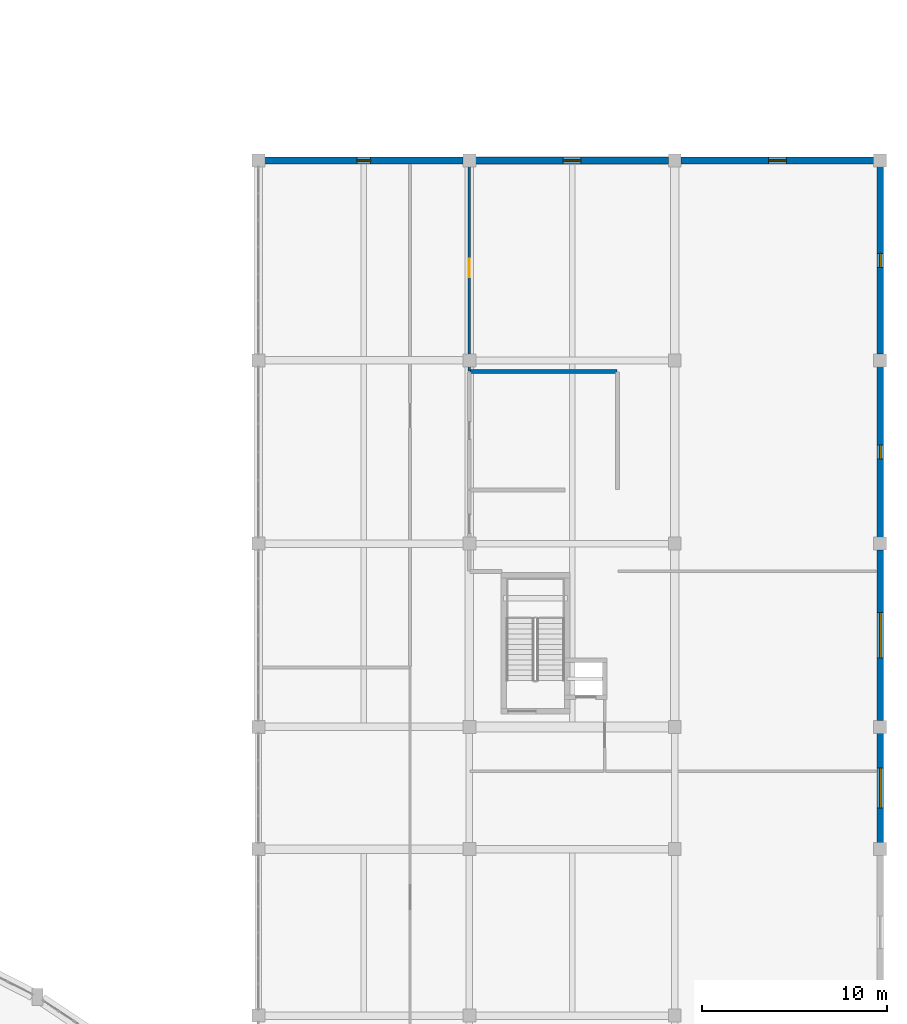
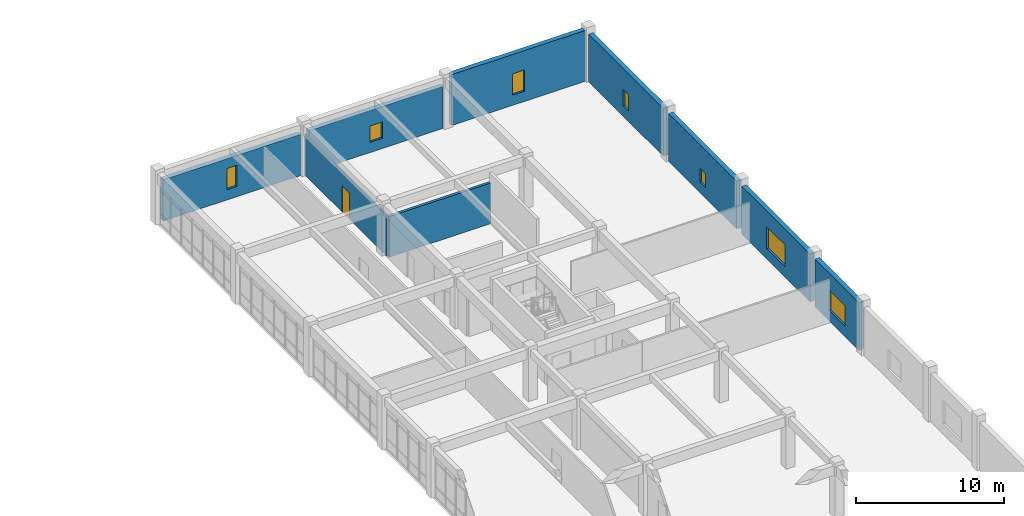
# One storey, part 49 of 57: 9 walls, 7 windows, 1 door, 8 openings.
"""IFC4 building model written with IfcOpenShell, lengths in metres."""

import ifcopenshell
import ifcopenshell.guid

model = None  # the IFC model being written
_history = None  # IfcOwnerHistory: only IFC2X3 demands one
_inside = {}  # id of a spatial element -> (the spatial element, [elements in it])
_under = {}  # id of a project, library or spatial element -> (it, [spatial elements below it])
_declared = {}  # id of a project -> (the project, [libraries it declares])
_typed = {}  # id of a type object -> (the type object, [elements of that type])
_made_of = {}  # id of a material, layer set ... -> (it, [elements and type objects made of it])


def new_model(schema):
    """Start an empty IFC model of exactly this schema.

    Asked for "IFC4X3", IfcOpenShell would pick the latest addendum, in which some entities
    have other attributes; the version numbers below select the first issue.
    IFC2X3 requires an IfcOwnerHistory on every rooted entity: one is made here for all.
    """
    global model, _history
    if schema == "IFC4X3":
        model = ifcopenshell.file(schema_version=(4, 3, 0, 0))
    else:
        model = ifcopenshell.file(schema=schema)
    _inside.clear()
    _under.clear()
    _declared.clear()
    _typed.clear()
    _made_of.clear()
    _history = None
    if model.schema == "IFC2X3":
        org = make("IfcOrganization", Name="unknown")
        user = make(
            "IfcPersonAndOrganization",
            ThePerson=make("IfcPerson", FamilyName="unknown"),
            TheOrganization=org,
        )
        app = make(
            "IfcApplication",
            ApplicationDeveloper=org,
            Version="unknown",
            ApplicationFullName="unknown",
            ApplicationIdentifier="unknown",
        )
        _history = make(
            "IfcOwnerHistory",
            OwningUser=user,
            OwningApplication=app,
            ChangeAction="ADDED",
            CreationDate=0,
        )
    return model


def make(cls, **values):
    """One entity of the class cls with the attributes given. An attribute that is None is left unset."""
    return model.create_entity(
        cls, **{name: value for name, value in values.items() if value is not None}
    )


def rooted(cls, **values):
    """An entity with a GlobalId (a new one), such as an element, a storey or a relation."""
    return make(cls, GlobalId=ifcopenshell.guid.new(), OwnerHistory=_history, **values)


def si_unit(unit_type, name, prefix=None):
    """IfcSIUnit, for example si_unit("LENGTHUNIT", "METRE", prefix="MILLI")."""
    return make("IfcSIUnit", UnitType=unit_type, Prefix=prefix, Name=name)


def assignment(units):
    """IfcUnitAssignment: the units of a project."""
    return None if units is None else make("IfcUnitAssignment", Units=units)


def point(xyz):
    """IfcCartesianPoint."""
    return None if xyz is None else make("IfcCartesianPoint", Coordinates=xyz)


def direction(xyz):
    """IfcDirection."""
    return None if xyz is None else make("IfcDirection", DirectionRatios=xyz)


def frame(location, z_axis=None, x_axis=None):
    """IfcAxis2Placement3D, a coordinate frame: its origin and axes. An axis left out is left unset."""
    return make(
        "IfcAxis2Placement3D",
        Location=point(location),
        Axis=direction(z_axis),
        RefDirection=direction(x_axis),
    )


def frame_2d(location, x_axis=None):
    """IfcAxis2Placement2D, a coordinate frame in the plane: its origin and x axis."""
    return make(
        "IfcAxis2Placement2D", Location=point(location), RefDirection=direction(x_axis)
    )


def origin():
    """The frame at (0, 0, 0) with its axes left unset."""
    return frame((0.0, 0.0, 0.0))


def place(relative_to, where):
    """IfcLocalPlacement: puts the frame where relative to a parent placement (None: the world)."""
    return make(
        "IfcLocalPlacement", PlacementRelTo=relative_to, RelativePlacement=where
    )


def context(
    kind, dimensions, precision=None, world=None, true_north=None, identifier=None
):
    """IfcGeometricRepresentationContext, for example the 3D "Model" context."""
    return make(
        "IfcGeometricRepresentationContext",
        ContextIdentifier=identifier,
        ContextType=kind,
        CoordinateSpaceDimension=dimensions,
        Precision=precision,
        WorldCoordinateSystem=world,
        TrueNorth=true_north,
    )


def subcontext(parent, identifier, kind, view, scale=None):
    """IfcGeometricRepresentationSubContext, for example "Body" below "Model"."""
    return make(
        "IfcGeometricRepresentationSubContext",
        ContextIdentifier=identifier,
        ContextType=kind,
        ParentContext=parent,
        TargetScale=scale,
        TargetView=view,
    )


def project(units=None, contexts=None):
    """IfcProject with its units and contexts."""
    return rooted(
        "IfcProject",
        Name="project",
        RepresentationContexts=contexts,
        UnitsInContext=assignment(units),
    )


def spatial(cls, under=None, at=None, **own):
    """A site, building, storey or space (cls), placed at a placement, below another one or the project."""
    s = rooted(cls, ObjectPlacement=at, **own)
    if under is not None:
        _under.setdefault(under.id(), (under, []))[1].append(s)
    return s


def profile(cls, at=None, kind="AREA", **sizes):
    """A parametric profile (cls). Its sizes go by their IFC names, for example OverallWidth=200.0."""
    return make(cls, ProfileType=kind, Position=at, **sizes)


def rectangle(**sizes):
    """IfcRectangleProfileDef."""
    return profile("IfcRectangleProfileDef", **sizes)


def extrude(swept, where, along, depth):
    """IfcExtrudedAreaSolid: the profile swept, set in the frame where, extruded along a direction by depth."""
    return make(
        "IfcExtrudedAreaSolid",
        SweptArea=swept,
        Position=where,
        ExtrudedDirection=direction(along),
        Depth=depth,
    )


def shape(context_of_items, identifier, shape_type, items):
    """IfcShapeRepresentation: the items that make up one representation, for example the "Body"."""
    return make(
        "IfcShapeRepresentation",
        ContextOfItems=context_of_items,
        RepresentationIdentifier=identifier,
        RepresentationType=shape_type,
        Items=items,
    )


def material(Name=None, Category=None):
    """IfcMaterial."""
    return make("IfcMaterial", Name=Name, Category=Category)


def layer(
    of_material, thickness, ventilated=None, Name=None, Category=None, Priority=None
):
    """IfcMaterialLayer: one layer of a wall or slab, of a material (None: an air gap)."""
    return make(
        "IfcMaterialLayer",
        Material=of_material,
        LayerThickness=thickness,
        IsVentilated=ventilated,
        Name=Name,
        Category=Category,
        Priority=Priority,
    )


def layer_set(layers, Name=None):
    """IfcMaterialLayerSet."""
    return make("IfcMaterialLayerSet", MaterialLayers=layers, LayerSetName=Name)


def made_of(thing, what):
    """Note that an element or type object is made of a material, layer set ...; save() writes the relation."""
    if what is not None:
        _made_of.setdefault(what.id(), (what, []))[1].append(thing)
    return thing


def type_object(cls, material=None, **own):
    """A type object (cls), such as IfcWallType, which elements share."""
    return made_of(rooted(cls, **own), material)


def element(
    cls,
    number,
    at=None,
    inside=None,
    cuts=None,
    type_object=None,
    material=None,
    context=None,
    identifier="Body",
    shape_type=None,
    held_by="IfcProductDefinitionShape",
    body=None,
    shapes=None,
    **own,
):
    """One element of the class cls, such as IfcWall. Its Tag is "e" and its number.

    at: its placement. inside: the storey or other place that contains it. cuts: it is an
    opening in that element (IfcRelVoidsElement). A single representation is given by context,
    identifier, shape_type and body (its items); several are given by shapes. held_by: the class
    of the entity that holds the representations. save() writes the other relations.
    """
    e = rooted(cls, Tag="e%d" % number, ObjectPlacement=at, **own)
    if body is not None:
        shapes = [shape(context, identifier, shape_type, body)]
    if shapes is not None:
        e.Representation = make(held_by, Representations=shapes)
    if inside is not None:
        _inside.setdefault(inside.id(), (inside, []))[1].append(e)
    if cuts is not None:
        rooted(
            "IfcRelVoidsElement", RelatingBuildingElement=cuts, RelatedOpeningElement=e
        )
    if type_object is not None:
        _typed.setdefault(type_object.id(), (type_object, []))[1].append(e)
    return made_of(e, material)


def fill(opening, filler):
    """IfcRelFillsElement: the door or window that sits in an opening."""
    return rooted(
        "IfcRelFillsElement",
        RelatingOpeningElement=opening,
        RelatedBuildingElement=filler,
    )


def aggregate(whole, parts):
    """IfcRelAggregates: a whole, such as a stair, and the parts it consists of."""
    return rooted("IfcRelAggregates", RelatingObject=whole, RelatedObjects=parts)


def save(model, path):
    """Write the relations noted so far, then the file.

    IfcRelAggregates (storeys below a building ...), IfcRelContainedInSpatialStructure (elements
    in a storey), IfcRelDefinesByType, IfcRelAssociatesMaterial and IfcRelDeclares: one each for
    every whole, place, type object, material and project.
    """
    for whole, parts in _under.values():
        aggregate(whole, parts)
    for where, things in _inside.values():
        rooted(
            "IfcRelContainedInSpatialStructure",
            RelatedElements=things,
            RelatingStructure=where,
        )
    for kind, things in _typed.values():
        rooted("IfcRelDefinesByType", RelatedObjects=things, RelatingType=kind)
    for what, things in _made_of.values():
        rooted("IfcRelAssociatesMaterial", RelatedObjects=things, RelatingMaterial=what)
    for by, libraries in _declared.values():
        rooted("IfcRelDeclares", RelatingContext=by, RelatedDefinitions=libraries)
    model.write(path)


model = new_model("IFC4")

# Units and contexts
model_context = context("Model", 3, precision=1e-05, world=origin(), true_north=direction((0.0, 1.0)))
body_context = subcontext(model_context, "Body", "Model", "MODEL_VIEW")
ifc_project = project(units=[si_unit("LENGTHUNIT", "METRE"), si_unit("AREAUNIT", "SQUARE_METRE"), si_unit("VOLUMEUNIT", "CUBIC_METRE"), si_unit("PLANEANGLEUNIT", "RADIAN"), si_unit("MASSUNIT", "GRAM", prefix="KILO")], contexts=[model_context])

# Site, building, storey
site_placement = place(None, origin())
site = spatial("IfcSite", under=ifc_project, at=site_placement, CompositionType="ELEMENT")
building_placement = place(site_placement, origin())
building = spatial("IfcBuilding", under=site, at=building_placement, Name="Miralva Faculty of Natural Sciences", CompositionType="ELEMENT")
storey_placement = place(building_placement, frame((0.0, 0.0, 15.0)))
storey = spatial("IfcBuildingStorey", under=building, at=storey_placement, Name="L03", CompositionType="ELEMENT", Elevation=15.0)

# Wall, opening, door
ifc_material_1 = material(Name="Gypsum plasterboard")
ifc_layer_1 = layer(ifc_material_1, 0.125, Name="WL-PT05")
ifc_layer_set_1 = layer_set([ifc_layer_1], Name="Gypsum plasterboard")
wall_type_1 = type_object("IfcWallType", Name="WL-PT05", PredefinedType="PARTITIONING", material=ifc_layer_set_1)
wall_1_placement = place(storey_placement, frame((145.199951171875, 64.830078125, 0.0), z_axis=(0.0, 0.0, 1.0), x_axis=(0.0, 1.0, 0.0)))
wall_1 = element("IfcWall", 1, at=wall_1_placement, inside=storey, type_object=wall_type_1, Name="Interior partition PT-05 L03-381", PredefinedType="PARTITIONING", context=body_context, shape_type="SweptSolid", body=[
    extrude(rectangle(XDim=11.139892578125, YDim=0.125, at=frame_2d((5.56982421875, 0.0))), origin(), (0.0, 0.0, 1.0), 3.35498046875),
])
opening_1_placement = place(wall_1_placement, frame((5.070068359375, 0.0, 0.0)))
opening_1 = element("IfcOpeningElement", 2, at=opening_1_placement, cuts=wall_1, Name="Opening D-25", PredefinedType="OPENING", context=body_context, shape_type="SweptSolid", body=[
    extrude(rectangle(XDim=1.0, YDim=2.14990234375, at=frame_2d((0.5, 1.074951171875))), frame((0.0, 0.072509765625, 0.0), z_axis=(0.0, -1.0, 0.0), x_axis=(1.0, 0.0, 0.0)), (0.0, 0.0, 1.0), 0.14501953125),
])
ifc_material_2 = material(Name="Anodised aluminium", Category="aluminium")
door_type = type_object("IfcDoorType", Name="DR-DI25", OperationType="NOTDEFINED", PredefinedType="DOOR", material=ifc_material_2)
door_placement = place(opening_1_placement, origin())
door = element("IfcDoor", 3, at=door_placement, inside=storey, type_object=door_type, Name="Interior door D-25 L03-140", OperationType="SINGLE_SWING_LEFT", OverallHeight=2.14990234375, OverallWidth=1.0, PredefinedType="DOOR", context=body_context, shape_type="SweptSolid", body=[
    extrude(rectangle(XDim=1.0, YDim=2.14990234375, at=frame_2d((0.5, 1.074951171875))), frame((0.0, 0.02490234375, 0.0), z_axis=(0.0, -1.0, 0.0), x_axis=(1.0, 0.0, 0.0)), (0.0, 0.0, 1.0), 0.050048828125),
])
fill(opening_1, door)

# Wall
ifc_layer_2 = layer(ifc_material_1, 0.2099609375, Name="WL-PT06")
ifc_layer_set_2 = layer_set([ifc_layer_2], Name="Gypsum plasterboard")
wall_type_2 = type_object("IfcWallType", Name="WL-PT06", PredefinedType="PLUMBINGWALL", material=ifc_layer_set_2)
wall_2_placement = place(storey_placement, frame((145.22998046875, 64.800048828125, 0.0), z_axis=(0.0, 0.0, 1.0), x_axis=(1.0, 0.0, 0.0)))
element("IfcWall", 4, at=wall_2_placement, inside=storey, type_object=wall_type_2, Name="Interior partition PT-06 L03-378", PredefinedType="PLUMBINGWALL", context=body_context, shape_type="SweptSolid", body=[
    extrude(rectangle(XDim=7.93994140625, YDim=0.2099609375, at=frame_2d((3.969970703125, 0.0))), origin(), (0.0, 0.0, 1.0), 3.35498046875),
])

# Wall, opening, window
ifc_material_3 = material(Name="Volcanic tuff architectural stone", Category="masonry")
ifc_layer_3 = layer(ifc_material_3, 0.360107421875, Name="WL-WT01")
ifc_layer_set_3 = layer_set([ifc_layer_3], Name="Volcanic tuff architectural stone")
wall_type_3 = type_object("IfcWallType", Name="WL-WT01", PredefinedType="SOLIDWALL", material=ifc_layer_set_3)
wall_3_placement = place(storey_placement, frame((167.39990234375, 39.3349609375, 0.0), z_axis=(0.0, 0.0, 1.0), x_axis=(0.0, 1.0, 0.0)))
wall_3 = element("IfcWall", 5, at=wall_3_placement, inside=storey, type_object=wall_type_3, Name="Exterior wall L03-328", PredefinedType="SOLIDWALL", context=body_context, shape_type="SweptSolid", body=[
    extrude(rectangle(XDim=5.929931640625, YDim=0.360107421875, at=frame_2d((2.96484375, 0.0))), origin(), (0.0, 0.0, 1.0), 3.945068359375),
])
opening_2_placement = place(wall_3_placement, frame((1.889892578125, 0.0, 0.85009765625)))
opening_2 = element("IfcOpeningElement", 6, at=opening_2_placement, cuts=wall_3, Name="Opening W-39", PredefinedType="OPENING", context=body_context, shape_type="SweptSolid", body=[
    extrude(rectangle(XDim=2.14990234375, YDim=1.699951171875, at=frame_2d((1.074951171875, 0.85009765625))), frame((0.0, 0.18994140625, 0.0), z_axis=(0.0, -1.0, 0.0), x_axis=(1.0, 0.0, 0.0)), (0.0, 0.0, 1.0), 0.380126953125),
])
ifc_material_4 = material(Name="Laminated solar-control glass", Category="glass")
window_type_1 = type_object("IfcWindowType", Name="WN-W39", PartitioningType="DOUBLE_PANEL_VERTICAL", PredefinedType="WINDOW", material=ifc_material_4)
window_1_placement = place(opening_2_placement, frame((2.14990234375, 0.0, 0.0), z_axis=(0.0, 0.0, 1.0), x_axis=(-1.0, 0.0, 0.0)))
window_1 = element("IfcWindow", 7, at=window_1_placement, inside=storey, type_object=window_type_1, Name="Window W-39 L03-253", OverallHeight=1.699951171875, OverallWidth=2.14990234375, PartitioningType="DOUBLE_PANEL_VERTICAL", PredefinedType="WINDOW", context=body_context, shape_type="SweptSolid", body=[
    extrude(rectangle(XDim=2.14990234375, YDim=1.699951171875, at=frame_2d((1.074951171875, 0.85009765625))), frame((0.0, 0.030029296875, 0.0), z_axis=(0.0, -1.0, 0.0), x_axis=(1.0, 0.0, 0.0)), (0.0, 0.0, 1.0), 0.06005859375),
])
fill(opening_2, window_1)

wall_4_placement = place(storey_placement, frame((167.39990234375, 45.93505859375, 0.0), z_axis=(0.0, 0.0, 1.0), x_axis=(0.0, 1.0, 0.0)))
wall_4 = element("IfcWall", 8, at=wall_4_placement, inside=storey, type_object=wall_type_3, Name="Exterior wall L03-329", PredefinedType="SOLIDWALL", context=body_context, shape_type="SweptSolid", body=[
    extrude(rectangle(XDim=9.22998046875, YDim=0.360107421875, at=frame_2d((4.614990234375, 0.0))), origin(), (0.0, 0.0, 1.0), 3.945068359375),
])
opening_3_placement = place(wall_4_placement, frame((3.389892578125, 0.0, 0.85009765625)))
opening_3 = element("IfcOpeningElement", 9, at=opening_3_placement, cuts=wall_4, Name="Opening W-40", PredefinedType="OPENING", context=body_context, shape_type="SweptSolid", body=[
    extrude(rectangle(XDim=2.449951171875, YDim=1.800048828125, at=frame_2d((1.22509765625, 0.89990234375))), frame((0.0, 0.18994140625, 0.0), z_axis=(0.0, -1.0, 0.0), x_axis=(1.0, 0.0, 0.0)), (0.0, 0.0, 1.0), 0.380126953125),
])
window_type_2 = type_object("IfcWindowType", Name="WN-W40", PartitioningType="DOUBLE_PANEL_VERTICAL", PredefinedType="WINDOW", material=ifc_material_4)
window_2_placement = place(opening_3_placement, frame((2.449951171875, 0.0, 0.0), z_axis=(0.0, 0.0, 1.0), x_axis=(-1.0, 0.0, 0.0)))
window_2 = element("IfcWindow", 10, at=window_2_placement, inside=storey, type_object=window_type_2, Name="Window W-40 L03-254", OverallHeight=1.800048828125, OverallWidth=2.449951171875, PartitioningType="DOUBLE_PANEL_VERTICAL", PredefinedType="WINDOW", context=body_context, shape_type="SweptSolid", body=[
    extrude(rectangle(XDim=2.449951171875, YDim=1.800048828125, at=frame_2d((1.22509765625, 0.89990234375))), frame((0.0, 0.030029296875, 0.0), z_axis=(0.0, -1.0, 0.0), x_axis=(1.0, 0.0, 0.0)), (0.0, 0.0, 1.0), 0.06005859375),
])
fill(opening_3, window_2)

wall_5_placement = place(storey_placement, frame((167.39990234375, 55.8349609375, 0.0), z_axis=(0.0, 0.0, 1.0), x_axis=(0.0, 1.0, 0.0)))
wall_5 = element("IfcWall", 11, at=wall_5_placement, inside=storey, type_object=wall_type_3, Name="Exterior wall L03-330", PredefinedType="SOLIDWALL", context=body_context, shape_type="SweptSolid", body=[
    extrude(rectangle(XDim=9.22998046875, YDim=0.360107421875, at=frame_2d((4.614990234375, 0.0))), origin(), (0.0, 0.0, 1.0), 3.945068359375),
])
opening_4_placement = place(wall_5_placement, frame((4.239990234375, 0.0, 0.85009765625)))
opening_4 = element("IfcOpeningElement", 12, at=opening_4_placement, cuts=wall_5, Name="Opening W-41", PredefinedType="OPENING", context=body_context, shape_type="SweptSolid", body=[
    extrude(rectangle(XDim=0.75, YDim=1.14990234375, at=frame_2d((0.375, 0.574951171875))), frame((0.0, 0.18994140625, 0.0), z_axis=(0.0, -1.0, 0.0), x_axis=(1.0, 0.0, 0.0)), (0.0, 0.0, 1.0), 0.380126953125),
])
window_type_3 = type_object("IfcWindowType", Name="WN-W41", PartitioningType="DOUBLE_PANEL_VERTICAL", PredefinedType="WINDOW", material=ifc_material_4)
window_3_placement = place(opening_4_placement, frame((0.75, 0.0, 0.0), z_axis=(0.0, 0.0, 1.0), x_axis=(-1.0, 0.0, 0.0)))
window_3 = element("IfcWindow", 13, at=window_3_placement, inside=storey, type_object=window_type_3, Name="Window W-41 L03-255", OverallHeight=1.14990234375, OverallWidth=0.75, PartitioningType="DOUBLE_PANEL_VERTICAL", PredefinedType="WINDOW", context=body_context, shape_type="SweptSolid", body=[
    extrude(rectangle(XDim=0.75, YDim=1.14990234375, at=frame_2d((0.375, 0.574951171875))), frame((0.0, 0.030029296875, 0.0), z_axis=(0.0, -1.0, 0.0), x_axis=(1.0, 0.0, 0.0)), (0.0, 0.0, 1.0), 0.06005859375),
])
fill(opening_4, window_3)

wall_6_placement = place(storey_placement, frame((167.39990234375, 65.735107421875, 0.0), z_axis=(0.0, 0.0, 1.0), x_axis=(0.0, 1.0, 0.0)))
wall_6 = element("IfcWall", 14, at=wall_6_placement, inside=storey, type_object=wall_type_3, Name="Exterior wall L03-331", PredefinedType="SOLIDWALL", context=body_context, shape_type="SweptSolid", body=[
    extrude(rectangle(XDim=10.1298828125, YDim=0.360107421875, at=frame_2d((5.06494140625, 0.0))), origin(), (0.0, 0.0, 1.0), 3.945068359375),
])
opening_5_placement = place(wall_6_placement, frame((4.68994140625, 0.0, 0.85009765625)))
opening_5 = element("IfcOpeningElement", 15, at=opening_5_placement, cuts=wall_6, Name="Opening W-42", PredefinedType="OPENING", context=body_context, shape_type="SweptSolid", body=[
    extrude(rectangle(XDim=0.75, YDim=1.35009765625, at=frame_2d((0.375, 0.675048828125))), frame((0.0, 0.18994140625, 0.0), z_axis=(0.0, -1.0, 0.0), x_axis=(1.0, 0.0, 0.0)), (0.0, 0.0, 1.0), 0.380126953125),
])
window_type_4 = type_object("IfcWindowType", Name="WN-W42", PartitioningType="DOUBLE_PANEL_VERTICAL", PredefinedType="WINDOW", material=ifc_material_4)
window_4_placement = place(opening_5_placement, frame((0.75, 0.0, 0.0), z_axis=(0.0, 0.0, 1.0), x_axis=(-1.0, 0.0, 0.0)))
window_4 = element("IfcWindow", 16, at=window_4_placement, inside=storey, type_object=window_type_4, Name="Window W-42 L03-256", OverallHeight=1.35009765625, OverallWidth=0.75, PartitioningType="DOUBLE_PANEL_VERTICAL", PredefinedType="WINDOW", context=body_context, shape_type="SweptSolid", body=[
    extrude(rectangle(XDim=0.75, YDim=1.35009765625, at=frame_2d((0.375, 0.675048828125))), frame((0.0, 0.030029296875, 0.0), z_axis=(0.0, -1.0, 0.0), x_axis=(1.0, 0.0, 0.0)), (0.0, 0.0, 1.0), 0.06005859375),
])
fill(opening_5, window_4)

wall_7_placement = place(storey_placement, frame((134.135009765625, 76.199951171875, 0.0), z_axis=(0.0, 0.0, 1.0), x_axis=(1.0, 0.0, 0.0)))
wall_7 = element("IfcWall", 17, at=wall_7_placement, inside=storey, type_object=wall_type_3, Name="Exterior wall L03-333", PredefinedType="SOLIDWALL", context=body_context, shape_type="SweptSolid", body=[
    extrude(rectangle(XDim=10.72998046875, YDim=0.360107421875, at=frame_2d((5.364990234375, 0.0))), origin(), (0.0, 0.0, 1.0), 3.405029296875),
])
opening_6_placement = place(wall_7_placement, frame((4.989990234375, 0.0, 0.85009765625)))
opening_6 = element("IfcOpeningElement", 18, at=opening_6_placement, cuts=wall_7, Name="Opening W-44", PredefinedType="OPENING", context=body_context, shape_type="SweptSolid", body=[
    extrude(rectangle(XDim=0.75, YDim=1.75, at=frame_2d((0.375, 0.875))), frame((0.0, 0.18994140625, 0.0), z_axis=(0.0, -1.0, 0.0), x_axis=(1.0, 0.0, 0.0)), (0.0, 0.0, 1.0), 0.380126953125),
])
window_type_5 = type_object("IfcWindowType", Name="WN-W44", PartitioningType="DOUBLE_PANEL_VERTICAL", PredefinedType="WINDOW", material=ifc_material_4)
window_5_placement = place(opening_6_placement, origin())
window_5 = element("IfcWindow", 19, at=window_5_placement, inside=storey, type_object=window_type_5, Name="Window W-44 L03-258", OverallHeight=1.75, OverallWidth=0.75, PartitioningType="DOUBLE_PANEL_VERTICAL", PredefinedType="WINDOW", context=body_context, shape_type="SweptSolid", body=[
    extrude(rectangle(XDim=0.75, YDim=1.75, at=frame_2d((0.375, 0.875))), frame((0.0, 0.030029296875, 0.0), z_axis=(0.0, -1.0, 0.0), x_axis=(1.0, 0.0, 0.0)), (0.0, 0.0, 1.0), 0.06005859375),
])
fill(opening_6, window_5)

wall_8_placement = place(storey_placement, frame((145.534912109375, 76.199951171875, 0.0), z_axis=(0.0, 0.0, 1.0), x_axis=(1.0, 0.0, 0.0)))
wall_8 = element("IfcWall", 20, at=wall_8_placement, inside=storey, type_object=wall_type_3, Name="Exterior wall L03-335", PredefinedType="SOLIDWALL", context=body_context, shape_type="SweptSolid", body=[
    extrude(rectangle(XDim=10.43017578125, YDim=0.360107421875, at=frame_2d((5.215087890625, 0.0))), origin(), (0.0, 0.0, 1.0), 3.465087890625),
])
opening_7_placement = place(wall_8_placement, frame((4.739990234375, 0.0, 0.85009765625)))
opening_7 = element("IfcOpeningElement", 21, at=opening_7_placement, cuts=wall_8, Name="Opening W-46", PredefinedType="OPENING", context=body_context, shape_type="SweptSolid", body=[
    extrude(rectangle(XDim=0.949951171875, YDim=1.35009765625, at=frame_2d((0.47509765625, 0.675048828125))), frame((0.0, 0.18994140625, 0.0), z_axis=(0.0, -1.0, 0.0), x_axis=(1.0, 0.0, 0.0)), (0.0, 0.0, 1.0), 0.380126953125),
])
window_type_6 = type_object("IfcWindowType", Name="WN-W46", PartitioningType="DOUBLE_PANEL_VERTICAL", PredefinedType="WINDOW", material=ifc_material_4)
window_6_placement = place(opening_7_placement, origin())
window_6 = element("IfcWindow", 22, at=window_6_placement, inside=storey, type_object=window_type_6, Name="Window W-46 L03-260", OverallHeight=1.35009765625, OverallWidth=0.949951171875, PartitioningType="DOUBLE_PANEL_VERTICAL", PredefinedType="WINDOW", context=body_context, shape_type="SweptSolid", body=[
    extrude(rectangle(XDim=0.949951171875, YDim=1.35009765625, at=frame_2d((0.47509765625, 0.675048828125))), frame((0.0, 0.030029296875, 0.0), z_axis=(0.0, -1.0, 0.0), x_axis=(1.0, 0.0, 0.0)), (0.0, 0.0, 1.0), 0.06005859375),
])
fill(opening_7, window_6)

wall_9_placement = place(storey_placement, frame((156.635009765625, 76.199951171875, 0.0), z_axis=(0.0, 0.0, 1.0), x_axis=(1.0, 0.0, 0.0)))
wall_9 = element("IfcWall", 23, at=wall_9_placement, inside=storey, type_object=wall_type_3, Name="Exterior wall L03-337", PredefinedType="SOLIDWALL", context=body_context, shape_type="SweptSolid", body=[
    extrude(rectangle(XDim=10.429931640625, YDim=0.360107421875, at=frame_2d((5.21484375, 0.0))), origin(), (0.0, 0.0, 1.0), 4.199951171875),
])
opening_8_placement = place(wall_9_placement, frame((4.739990234375, 0.0, 0.85009765625)))
opening_8 = element("IfcOpeningElement", 24, at=opening_8_placement, cuts=wall_9, Name="Opening W-48", PredefinedType="OPENING", context=body_context, shape_type="SweptSolid", body=[
    extrude(rectangle(XDim=0.949951171875, YDim=1.75, at=frame_2d((0.47509765625, 0.875))), frame((0.0, 0.18994140625, 0.0), z_axis=(0.0, -1.0, 0.0), x_axis=(1.0, 0.0, 0.0)), (0.0, 0.0, 1.0), 0.380126953125),
])
window_type_7 = type_object("IfcWindowType", Name="WN-W48", PartitioningType="DOUBLE_PANEL_VERTICAL", PredefinedType="WINDOW", material=ifc_material_4)
window_7_placement = place(opening_8_placement, origin())
window_7 = element("IfcWindow", 25, at=window_7_placement, inside=storey, type_object=window_type_7, Name="Window W-48 L03-262", OverallHeight=1.75, OverallWidth=0.949951171875, PartitioningType="DOUBLE_PANEL_VERTICAL", PredefinedType="WINDOW", context=body_context, shape_type="SweptSolid", body=[
    extrude(rectangle(XDim=0.949951171875, YDim=1.75, at=frame_2d((0.47509765625, 0.875))), frame((0.0, 0.030029296875, 0.0), z_axis=(0.0, -1.0, 0.0), x_axis=(1.0, 0.0, 0.0)), (0.0, 0.0, 1.0), 0.06005859375),
])
fill(opening_8, window_7)

save(model, "model.ifc")
